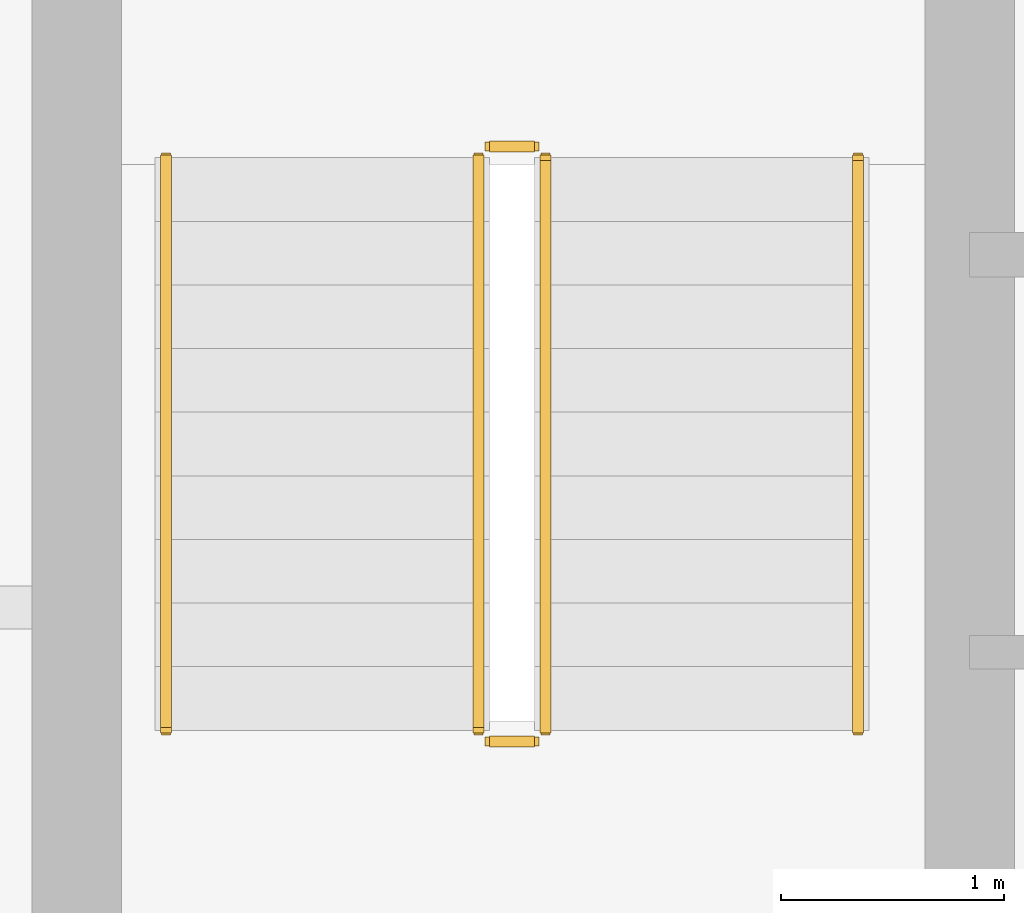
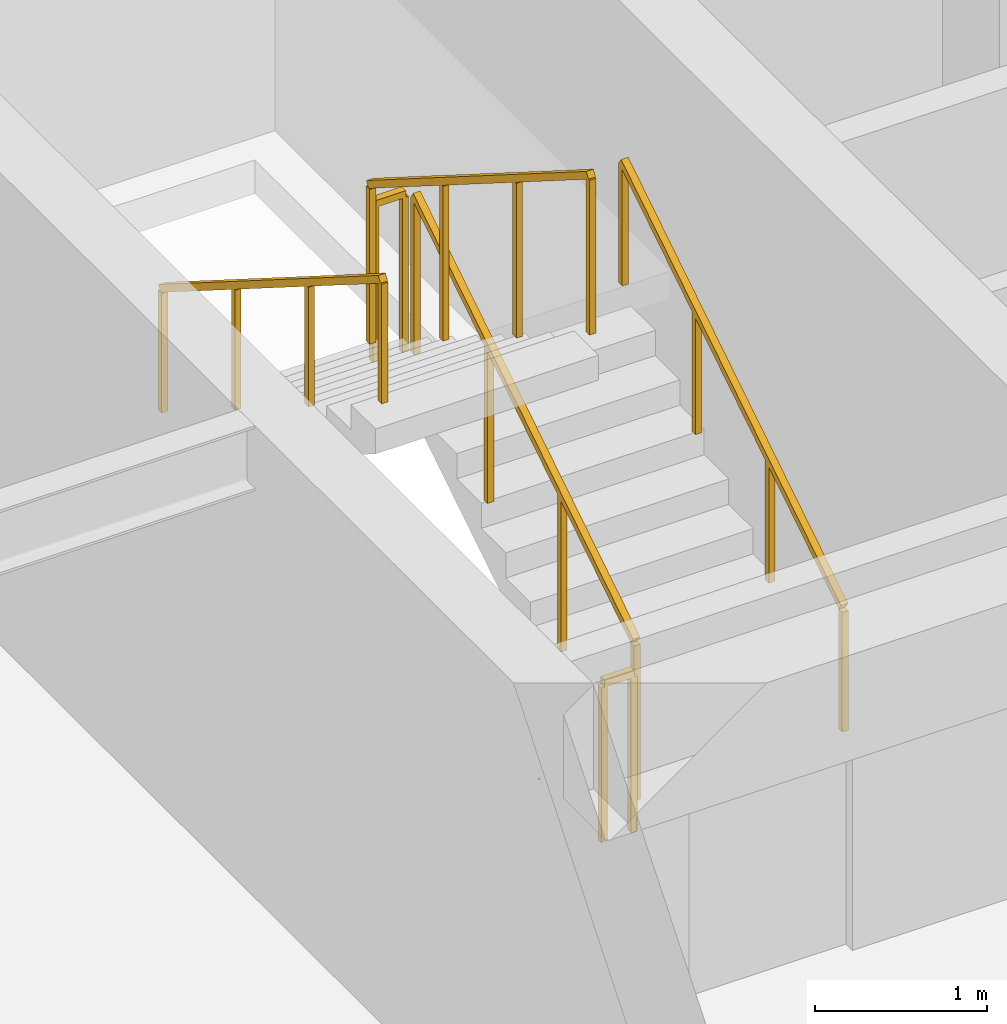
# One storey, part 21 of 23: 6 railings.
"""IFC4 building model written with IfcOpenShell, lengths in metres."""

from ifc_helpers import new_model, si_unit, direction, frame, origin, origin_2d, place, context, subcontext, project, spatial, rectangle, extrude, material, type_object, element, save


model = new_model("IFC4")

# Units and contexts
model_context = context("Model", 3, precision=1e-05, world=origin(), true_north=direction((0.0, 1.0)))
body_context = subcontext(model_context, "Body", "Model", "MODEL_VIEW")
ifc_project = project(units=[si_unit("LENGTHUNIT", "METRE"), si_unit("AREAUNIT", "SQUARE_METRE"), si_unit("VOLUMEUNIT", "CUBIC_METRE"), si_unit("PLANEANGLEUNIT", "RADIAN"), si_unit("MASSUNIT", "GRAM", prefix="KILO")], contexts=[model_context])

# Site, building, storey
site_placement = place(None, origin())
site = spatial("IfcSite", under=ifc_project, at=site_placement, CompositionType="ELEMENT")
building_placement = place(site_placement, origin())
building = spatial("IfcBuilding", under=site, at=building_placement, Name="Sarneth Arch Tower", CompositionType="ELEMENT")
storey_placement = place(building_placement, frame((0.0, 0.0, 217.199951171875)))
storey = spatial("IfcBuildingStorey", under=building, at=storey_placement, Name="L55", CompositionType="ELEMENT", Elevation=217.199951171875)

# Railings
ifc_material_1 = material(Name="Brushed Stainless Steel 304 tubular handrail", Category="steel")
railing_type_1 = type_object("IfcRailingType", Name="RAIL-HANDRAIL-900", PredefinedType="HANDRAIL", material=ifc_material_1)
railing_1_placement = place(storey_placement, frame((40.5, 41.449951171875, 0.179931640625)))
element("IfcRailing", 1, at=railing_1_placement, inside=storey, type_object=railing_type_1, Name="L55 ST-1 stair handrail 1", PredefinedType="HANDRAIL", context=body_context, shape_type="SweptSolid", body=[
    extrude(rectangle(XDim=0.048095703125, YDim=0.048095703125, at=origin_2d()), frame((0.0, 0.0, 0.8759765625), z_axis=(0.0, 0.845465955043, 0.534029323973), x_axis=(-1.0, 0.0, 0.0)), (0.0, 0.0, 1.0), 3.03369140625),
    extrude(rectangle(XDim=0.0419921875, YDim=0.0419921875, at=origin_2d()), origin(), (0.0, 0.0, 1.0), 0.851806640625),
    extrude(rectangle(XDim=0.0419921875, YDim=0.0419921875, at=origin_2d()), frame((0.0, 0.85498046875, 0.5400390625)), (0.0, 0.0, 1.0), 0.851806640625),
    extrude(rectangle(XDim=0.0419921875, YDim=0.0419921875, at=origin_2d()), frame((0.0, 1.7099609375, 1.080078125)), (0.0, 0.0, 1.0), 0.851806640625),
    extrude(rectangle(XDim=0.0419921875, YDim=0.0419921875, at=origin_2d()), frame((0.0, 2.56494140625, 1.6201171875)), (0.0, 0.0, 1.0), 0.851806640625),
])
railing_2_placement = place(storey_placement, frame((37.39990234375, 44.014892578125, 1.97998046875)))
element("IfcRailing", 2, at=railing_2_placement, inside=storey, type_object=railing_type_1, Name="L55 ST-1 stair handrail 2", PredefinedType="HANDRAIL", context=body_context, shape_type="SweptSolid", body=[
    extrude(rectangle(XDim=0.048095703125, YDim=0.048095703125, at=origin_2d()), frame((0.0, 0.0, 0.8759765625), z_axis=(0.0, -0.845465955043, 0.534029323973), x_axis=(1.0, 0.0, 0.0)), (0.0, 0.0, 1.0), 3.03369140625),
    extrude(rectangle(XDim=0.0419921875, YDim=0.0419921875, at=origin_2d()), origin(), (0.0, 0.0, 1.0), 0.851806640625),
    extrude(rectangle(XDim=0.0419921875, YDim=0.0419921875, at=origin_2d()), frame((0.0, -0.85498046875, 0.5400390625)), (0.0, 0.0, 1.0), 0.851806640625),
    extrude(rectangle(XDim=0.0419921875, YDim=0.0419921875, at=origin_2d()), frame((0.0, -1.7099609375, 1.080078125)), (0.0, 0.0, 1.0), 0.851806640625),
    extrude(rectangle(XDim=0.0419921875, YDim=0.0419921875, at=origin_2d()), frame((0.0, -2.56494140625, 1.6201171875)), (0.0, 0.0, 1.0), 0.851806640625),
])
ifc_material_2 = material(Name="Painted Steel S275 stair well guard", Category="steel")
railing_type_2 = type_object("IfcRailingType", Name="RAIL-STAIR-GUARD", PredefinedType="GUARDRAIL", material=ifc_material_2)
railing_3_placement = place(storey_placement, frame((39.10009765625, 41.449951171875, 0.179931640625)))
element("IfcRailing", 3, at=railing_3_placement, inside=storey, type_object=railing_type_2, Name="L55 ST-1 stair guard 1", PredefinedType="GUARDRAIL", context=body_context, shape_type="SweptSolid", body=[
    extrude(rectangle(XDim=0.048095703125, YDim=0.048095703125, at=origin_2d()), frame((0.0, 0.0, 1.1259765625), z_axis=(0.0, 0.845465955043, 0.534029323973), x_axis=(-1.0, 0.0, 0.0)), (0.0, 0.0, 1.0), 3.03369140625),
    extrude(rectangle(XDim=0.0419921875, YDim=0.0419921875, at=origin_2d()), origin(), (0.0, 0.0, 1.0), 1.101806640625),
    extrude(rectangle(XDim=0.0419921875, YDim=0.0419921875, at=origin_2d()), frame((0.0, 0.85498046875, 0.5400390625)), (0.0, 0.0, 1.0), 1.101806640625),
    extrude(rectangle(XDim=0.0419921875, YDim=0.0419921875, at=origin_2d()), frame((0.0, 1.7099609375, 1.080078125)), (0.0, 0.0, 1.0), 1.101806640625),
    extrude(rectangle(XDim=0.0419921875, YDim=0.0419921875, at=origin_2d()), frame((0.0, 2.56494140625, 1.6201171875)), (0.0, 0.0, 1.0), 1.101806640625),
])
railing_4_placement = place(storey_placement, frame((39.050048828125, 44.06494140625, 1.800048828125)))
element("IfcRailing", 4, at=railing_4_placement, inside=storey, type_object=railing_type_2, Name="L55 ST-1 stair guard 2", PredefinedType="GUARDRAIL", context=body_context, shape_type="SweptSolid", body=[
    extrude(rectangle(XDim=0.048095703125, YDim=0.048095703125, at=origin_2d()), frame((0.0, 0.0, 1.1259765625), z_axis=(-1.0, 0.0, 0.0), x_axis=(0.0, -1.0, 0.0)), (0.0, 0.0, 1.0), 0.199951171875),
    extrude(rectangle(XDim=0.0419921875, YDim=0.0419921875, at=origin_2d()), origin(), (0.0, 0.0, 1.0), 1.101806640625),
    extrude(rectangle(XDim=0.0419921875, YDim=0.0419921875, at=origin_2d()), frame((-0.199951171875, 0.0, 0.0)), (0.0, 0.0, 1.0), 1.101806640625),
])
railing_5_placement = place(storey_placement, frame((38.800048828125, 44.014892578125, 1.97998046875)))
element("IfcRailing", 5, at=railing_5_placement, inside=storey, type_object=railing_type_2, Name="L55 ST-1 stair guard 3", PredefinedType="GUARDRAIL", context=body_context, shape_type="SweptSolid", body=[
    extrude(rectangle(XDim=0.048095703125, YDim=0.048095703125, at=origin_2d()), frame((0.0, 0.0, 1.1259765625), z_axis=(0.0, -0.845465955043, 0.534029323973), x_axis=(1.0, 0.0, 0.0)), (0.0, 0.0, 1.0), 3.03369140625),
    extrude(rectangle(XDim=0.0419921875, YDim=0.0419921875, at=origin_2d()), origin(), (0.0, 0.0, 1.0), 1.101806640625),
    extrude(rectangle(XDim=0.0419921875, YDim=0.0419921875, at=origin_2d()), frame((0.0, -0.85498046875, 0.5400390625)), (0.0, 0.0, 1.0), 1.101806640625),
    extrude(rectangle(XDim=0.0419921875, YDim=0.0419921875, at=origin_2d()), frame((0.0, -1.7099609375, 1.080078125)), (0.0, 0.0, 1.0), 1.101806640625),
    extrude(rectangle(XDim=0.0419921875, YDim=0.0419921875, at=origin_2d()), frame((0.0, -2.56494140625, 1.6201171875)), (0.0, 0.0, 1.0), 1.101806640625),
])
railing_6_placement = place(storey_placement, frame((39.050048828125, 41.39990234375, 0.0)))
element("IfcRailing", 6, at=railing_6_placement, inside=storey, type_object=railing_type_2, Name="L55 ST-1 stair guard 4", PredefinedType="GUARDRAIL", context=body_context, shape_type="SweptSolid", body=[
    extrude(rectangle(XDim=0.048095703125, YDim=0.048095703125, at=origin_2d()), frame((0.0, 0.0, 1.1259765625), z_axis=(-1.0, 0.0, 0.0), x_axis=(0.0, -1.0, 0.0)), (0.0, 0.0, 1.0), 0.199951171875),
    extrude(rectangle(XDim=0.0419921875, YDim=0.0419921875, at=origin_2d()), origin(), (0.0, 0.0, 1.0), 1.101806640625),
    extrude(rectangle(XDim=0.0419921875, YDim=0.0419921875, at=origin_2d()), frame((-0.199951171875, 0.0, 0.0)), (0.0, 0.0, 1.0), 1.101806640625),
])

save(model, "model.ifc")
